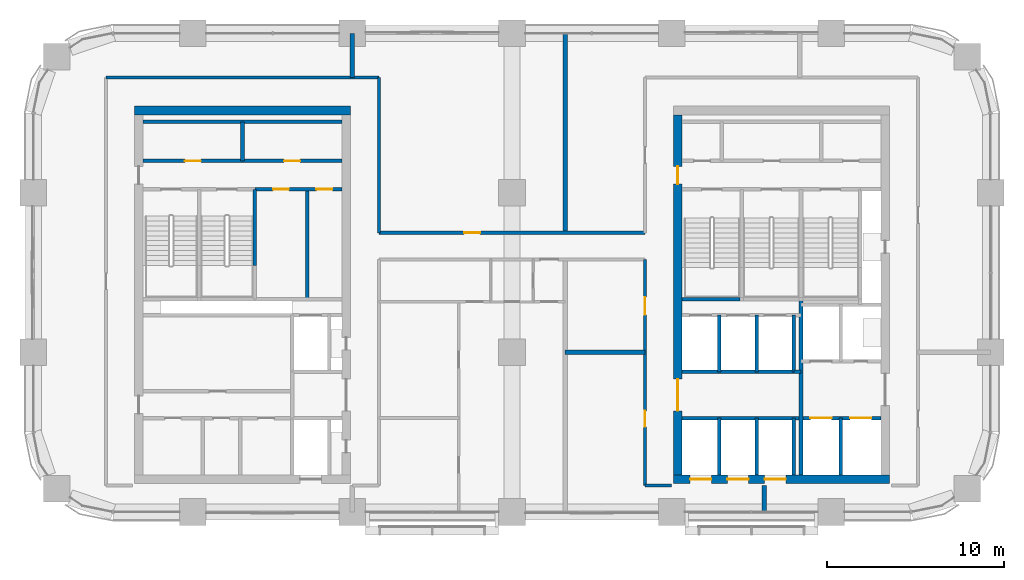
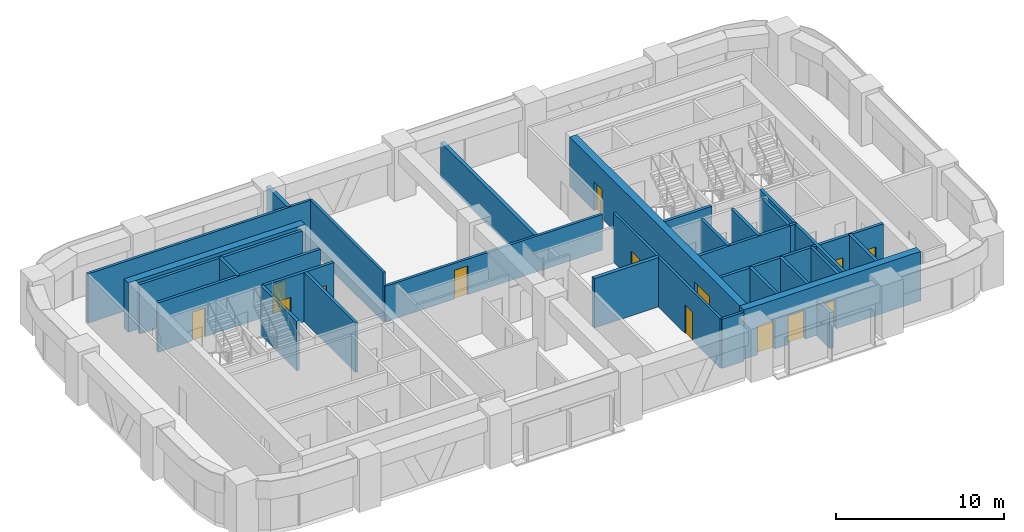
# One storey, part 9 of 13: 30 walls, 14 doors, 14 openings.
"""IFC4 building model written with IfcOpenShell, lengths in metres."""

import ifcopenshell
import ifcopenshell.guid

model = None  # the IFC model being written
_history = None  # IfcOwnerHistory: only IFC2X3 demands one
_inside = {}  # id of a spatial element -> (the spatial element, [elements in it])
_under = {}  # id of a project, library or spatial element -> (it, [spatial elements below it])
_declared = {}  # id of a project -> (the project, [libraries it declares])
_typed = {}  # id of a type object -> (the type object, [elements of that type])
_made_of = {}  # id of a material, layer set ... -> (it, [elements and type objects made of it])


def new_model(schema):
    """Start an empty IFC model of exactly this schema.

    Asked for "IFC4X3", IfcOpenShell would pick the latest addendum, in which some entities
    have other attributes; the version numbers below select the first issue.
    IFC2X3 requires an IfcOwnerHistory on every rooted entity: one is made here for all.
    """
    global model, _history
    if schema == "IFC4X3":
        model = ifcopenshell.file(schema_version=(4, 3, 0, 0))
    else:
        model = ifcopenshell.file(schema=schema)
    _inside.clear()
    _under.clear()
    _declared.clear()
    _typed.clear()
    _made_of.clear()
    _history = None
    if model.schema == "IFC2X3":
        org = make("IfcOrganization", Name="unknown")
        user = make(
            "IfcPersonAndOrganization",
            ThePerson=make("IfcPerson", FamilyName="unknown"),
            TheOrganization=org,
        )
        app = make(
            "IfcApplication",
            ApplicationDeveloper=org,
            Version="unknown",
            ApplicationFullName="unknown",
            ApplicationIdentifier="unknown",
        )
        _history = make(
            "IfcOwnerHistory",
            OwningUser=user,
            OwningApplication=app,
            ChangeAction="ADDED",
            CreationDate=0,
        )
    return model


def make(cls, **values):
    """One entity of the class cls with the attributes given. An attribute that is None is left unset."""
    return model.create_entity(
        cls, **{name: value for name, value in values.items() if value is not None}
    )


def rooted(cls, **values):
    """An entity with a GlobalId (a new one), such as an element, a storey or a relation."""
    return make(cls, GlobalId=ifcopenshell.guid.new(), OwnerHistory=_history, **values)


def si_unit(unit_type, name, prefix=None):
    """IfcSIUnit, for example si_unit("LENGTHUNIT", "METRE", prefix="MILLI")."""
    return make("IfcSIUnit", UnitType=unit_type, Prefix=prefix, Name=name)


def assignment(units):
    """IfcUnitAssignment: the units of a project."""
    return None if units is None else make("IfcUnitAssignment", Units=units)


def point(xyz):
    """IfcCartesianPoint."""
    return None if xyz is None else make("IfcCartesianPoint", Coordinates=xyz)


def direction(xyz):
    """IfcDirection."""
    return None if xyz is None else make("IfcDirection", DirectionRatios=xyz)


def frame(location, z_axis=None, x_axis=None):
    """IfcAxis2Placement3D, a coordinate frame: its origin and axes. An axis left out is left unset."""
    return make(
        "IfcAxis2Placement3D",
        Location=point(location),
        Axis=direction(z_axis),
        RefDirection=direction(x_axis),
    )


def frame_2d(location, x_axis=None):
    """IfcAxis2Placement2D, a coordinate frame in the plane: its origin and x axis."""
    return make(
        "IfcAxis2Placement2D", Location=point(location), RefDirection=direction(x_axis)
    )


def origin():
    """The frame at (0, 0, 0) with its axes left unset."""
    return frame((0.0, 0.0, 0.0))


def place(relative_to, where):
    """IfcLocalPlacement: puts the frame where relative to a parent placement (None: the world)."""
    return make(
        "IfcLocalPlacement", PlacementRelTo=relative_to, RelativePlacement=where
    )


def context(
    kind, dimensions, precision=None, world=None, true_north=None, identifier=None
):
    """IfcGeometricRepresentationContext, for example the 3D "Model" context."""
    return make(
        "IfcGeometricRepresentationContext",
        ContextIdentifier=identifier,
        ContextType=kind,
        CoordinateSpaceDimension=dimensions,
        Precision=precision,
        WorldCoordinateSystem=world,
        TrueNorth=true_north,
    )


def subcontext(parent, identifier, kind, view, scale=None):
    """IfcGeometricRepresentationSubContext, for example "Body" below "Model"."""
    return make(
        "IfcGeometricRepresentationSubContext",
        ContextIdentifier=identifier,
        ContextType=kind,
        ParentContext=parent,
        TargetScale=scale,
        TargetView=view,
    )


def project(units=None, contexts=None):
    """IfcProject with its units and contexts."""
    return rooted(
        "IfcProject",
        Name="project",
        RepresentationContexts=contexts,
        UnitsInContext=assignment(units),
    )


def spatial(cls, under=None, at=None, **own):
    """A site, building, storey or space (cls), placed at a placement, below another one or the project."""
    s = rooted(cls, ObjectPlacement=at, **own)
    if under is not None:
        _under.setdefault(under.id(), (under, []))[1].append(s)
    return s


def profile(cls, at=None, kind="AREA", **sizes):
    """A parametric profile (cls). Its sizes go by their IFC names, for example OverallWidth=200.0."""
    return make(cls, ProfileType=kind, Position=at, **sizes)


def rectangle(**sizes):
    """IfcRectangleProfileDef."""
    return profile("IfcRectangleProfileDef", **sizes)


def extrude(swept, where, along, depth):
    """IfcExtrudedAreaSolid: the profile swept, set in the frame where, extruded along a direction by depth."""
    return make(
        "IfcExtrudedAreaSolid",
        SweptArea=swept,
        Position=where,
        ExtrudedDirection=direction(along),
        Depth=depth,
    )


def shape(context_of_items, identifier, shape_type, items):
    """IfcShapeRepresentation: the items that make up one representation, for example the "Body"."""
    return make(
        "IfcShapeRepresentation",
        ContextOfItems=context_of_items,
        RepresentationIdentifier=identifier,
        RepresentationType=shape_type,
        Items=items,
    )


def material(Name=None, Category=None):
    """IfcMaterial."""
    return make("IfcMaterial", Name=Name, Category=Category)


def layer(
    of_material, thickness, ventilated=None, Name=None, Category=None, Priority=None
):
    """IfcMaterialLayer: one layer of a wall or slab, of a material (None: an air gap)."""
    return make(
        "IfcMaterialLayer",
        Material=of_material,
        LayerThickness=thickness,
        IsVentilated=ventilated,
        Name=Name,
        Category=Category,
        Priority=Priority,
    )


def layer_set(layers, Name=None):
    """IfcMaterialLayerSet."""
    return make("IfcMaterialLayerSet", MaterialLayers=layers, LayerSetName=Name)


def made_of(thing, what):
    """Note that an element or type object is made of a material, layer set ...; save() writes the relation."""
    if what is not None:
        _made_of.setdefault(what.id(), (what, []))[1].append(thing)
    return thing


def type_object(cls, material=None, **own):
    """A type object (cls), such as IfcWallType, which elements share."""
    return made_of(rooted(cls, **own), material)


def element(
    cls,
    number,
    at=None,
    inside=None,
    cuts=None,
    type_object=None,
    material=None,
    context=None,
    identifier="Body",
    shape_type=None,
    held_by="IfcProductDefinitionShape",
    body=None,
    shapes=None,
    **own,
):
    """One element of the class cls, such as IfcWall. Its Tag is "e" and its number.

    at: its placement. inside: the storey or other place that contains it. cuts: it is an
    opening in that element (IfcRelVoidsElement). A single representation is given by context,
    identifier, shape_type and body (its items); several are given by shapes. held_by: the class
    of the entity that holds the representations. save() writes the other relations.
    """
    e = rooted(cls, Tag="e%d" % number, ObjectPlacement=at, **own)
    if body is not None:
        shapes = [shape(context, identifier, shape_type, body)]
    if shapes is not None:
        e.Representation = make(held_by, Representations=shapes)
    if inside is not None:
        _inside.setdefault(inside.id(), (inside, []))[1].append(e)
    if cuts is not None:
        rooted(
            "IfcRelVoidsElement", RelatingBuildingElement=cuts, RelatedOpeningElement=e
        )
    if type_object is not None:
        _typed.setdefault(type_object.id(), (type_object, []))[1].append(e)
    return made_of(e, material)


def fill(opening, filler):
    """IfcRelFillsElement: the door or window that sits in an opening."""
    return rooted(
        "IfcRelFillsElement",
        RelatingOpeningElement=opening,
        RelatedBuildingElement=filler,
    )


def aggregate(whole, parts):
    """IfcRelAggregates: a whole, such as a stair, and the parts it consists of."""
    return rooted("IfcRelAggregates", RelatingObject=whole, RelatedObjects=parts)


def save(model, path):
    """Write the relations noted so far, then the file.

    IfcRelAggregates (storeys below a building ...), IfcRelContainedInSpatialStructure (elements
    in a storey), IfcRelDefinesByType, IfcRelAssociatesMaterial and IfcRelDeclares: one each for
    every whole, place, type object, material and project.
    """
    for whole, parts in _under.values():
        aggregate(whole, parts)
    for where, things in _inside.values():
        rooted(
            "IfcRelContainedInSpatialStructure",
            RelatedElements=things,
            RelatingStructure=where,
        )
    for kind, things in _typed.values():
        rooted("IfcRelDefinesByType", RelatedObjects=things, RelatingType=kind)
    for what, things in _made_of.values():
        rooted("IfcRelAssociatesMaterial", RelatedObjects=things, RelatingMaterial=what)
    for by, libraries in _declared.values():
        rooted("IfcRelDeclares", RelatingContext=by, RelatedDefinitions=libraries)
    model.write(path)


model = new_model("IFC4")

# Units and contexts
model_context = context("Model", 3, precision=1e-05, world=origin(), true_north=direction((0.0, 1.0)))
body_context = subcontext(model_context, "Body", "Model", "MODEL_VIEW")
ifc_project = project(units=[si_unit("LENGTHUNIT", "METRE"), si_unit("AREAUNIT", "SQUARE_METRE"), si_unit("VOLUMEUNIT", "CUBIC_METRE"), si_unit("PLANEANGLEUNIT", "RADIAN"), si_unit("MASSUNIT", "GRAM", prefix="KILO")], contexts=[model_context])

# Site, building, storey
site_placement = place(None, origin())
site = spatial("IfcSite", under=ifc_project, at=site_placement, CompositionType="ELEMENT")
building_placement = place(site_placement, origin())
building = spatial("IfcBuilding", under=site, at=building_placement, Name="Tessera Arch", CompositionType="ELEMENT")
storey_placement = place(building_placement, frame((0.0, 0.0, 158.300048828125)))
storey = spatial("IfcBuildingStorey", under=building, at=storey_placement, Name="L37", CompositionType="ELEMENT", Elevation=158.300048828125)

# Walls
ifc_material_1 = material(Name="Gypsum board on steel stud", Category="steel")
ifc_layer_1 = layer(ifc_material_1, 0.125)
ifc_layer_set_1 = layer_set([ifc_layer_1], Name="Core partition 125 EI 60")
wall_type_1 = type_object("IfcWallType", Name="Core partition 125 EI 60", PredefinedType="PARTITIONING", material=ifc_layer_set_1)
wall_1_placement = place(storey_placement, frame((42.89990234375, 34.89990234375, 0.0), z_axis=(0.0, 0.0, 1.0), x_axis=(1.0, 0.0, 0.0)))
element("IfcWall", 1, at=wall_1_placement, inside=storey, type_object=wall_type_1, Name="L37 C1 partition wall 20", PredefinedType="PARTITIONING", context=body_context, shape_type="SweptSolid", body=[
    extrude(rectangle(XDim=0.400146484375, YDim=0.199951171875, at=frame_2d((0.2001953125, 0.0))), origin(), (0.0, 0.0, 1.0), 3.599853515625),
])
wall_2_placement = place(storey_placement, frame((11.800048828125, 46.800048828125, 0.0), z_axis=(0.0, 0.0, 1.0), x_axis=(0.0, 1.0, 0.0)))
element("IfcWall", 2, at=wall_2_placement, inside=storey, type_object=wall_type_1, Name="L37 C2 partition wall 5", PredefinedType="PARTITIONING", context=body_context, shape_type="SweptSolid", body=[
    extrude(rectangle(XDim=2.199951171875, YDim=0.199951171875, at=frame_2d((1.10009765625, 0.0))), origin(), (0.0, 0.0, 1.0), 3.599853515625),
])
wall_3_placement = place(storey_placement, frame((15.43994140625, 39.0, 0.0), z_axis=(0.0, 0.0, 1.0), x_axis=(0.0, 1.0, 0.0)))
element("IfcWall", 3, at=wall_3_placement, inside=storey, type_object=wall_type_1, Name="L37 C2 partition wall 11", PredefinedType="PARTITIONING", context=body_context, shape_type="SweptSolid", body=[
    extrude(rectangle(XDim=6.199951171875, YDim=0.199951171875, at=frame_2d((3.10009765625, 0.0))), origin(), (0.0, 0.0, 1.0), 3.599853515625),
])

# Wall, openings, doors
wall_4_placement = place(storey_placement, frame((12.5, 45.199951171875, 0.0), z_axis=(0.0, 0.0, 1.0), x_axis=(1.0, 0.0, 0.0)))
wall_4 = element("IfcWall", 4, at=wall_4_placement, inside=storey, type_object=wall_type_1, Name="L37 C2 partition wall 23", PredefinedType="PARTITIONING", context=body_context, shape_type="SweptSolid", body=[
    extrude(rectangle(XDim=4.89990234375, YDim=0.199951171875, at=frame_2d((2.449951171875, 0.0))), origin(), (0.0, 0.0, 1.0), 3.599853515625),
])
opening_1_placement = place(wall_4_placement, frame((1.02001953125, 0.0, 0.0)))
opening_1 = element("IfcOpeningElement", 5, at=opening_1_placement, cuts=wall_4, Name="Opening L37-C32", PredefinedType="OPENING", context=body_context, shape_type="SweptSolid", body=[
    extrude(rectangle(XDim=0.89990234375, YDim=2.10009765625, at=frame_2d((0.449951171875, 1.050048828125))), frame((0.0, 0.10986328125, 0.0), z_axis=(0.0, -1.0, 0.0), x_axis=(1.0, 0.0, 0.0)), (0.0, 0.0, 1.0), 0.219970703125),
])
opening_2_placement = place(wall_4_placement, frame((3.469970703125, 0.0, 0.0)))
opening_2 = element("IfcOpeningElement", 6, at=opening_2_placement, cuts=wall_4, Name="Opening L37-C33", PredefinedType="OPENING", context=body_context, shape_type="SweptSolid", body=[
    extrude(rectangle(XDim=0.89990234375, YDim=2.10009765625, at=frame_2d((0.449951171875, 1.050048828125))), frame((0.0, 0.10986328125, 0.0), z_axis=(0.0, -1.0, 0.0), x_axis=(1.0, 0.0, 0.0)), (0.0, 0.0, 1.0), 0.219970703125),
])
ifc_material_2 = material(Name="Steel door leaf", Category="steel")
door_type_1 = type_object("IfcDoorType", Name="Store door FD30S 900 x 2100", OperationType="SINGLE_SWING_LEFT", PredefinedType="DOOR", material=ifc_material_2)
door_1_placement = place(opening_1_placement, origin())
door_1 = element("IfcDoor", 7, at=door_1_placement, inside=storey, type_object=door_type_1, Name="L37 C2 door 12 C32 type D09", OperationType="SINGLE_SWING_LEFT", OverallHeight=2.10009765625, OverallWidth=0.89990234375, PredefinedType="DOOR", context=body_context, shape_type="SweptSolid", body=[
    extrude(rectangle(XDim=0.89990234375, YDim=2.10009765625, at=frame_2d((0.449951171875, 1.050048828125))), frame((0.0, 0.02490234375, 0.0), z_axis=(0.0, -1.0, 0.0), x_axis=(1.0, 0.0, 0.0)), (0.0, 0.0, 1.0), 0.050048828125),
])
fill(opening_1, door_1)
door_2_placement = place(opening_2_placement, origin())
door_2 = element("IfcDoor", 8, at=door_2_placement, inside=storey, type_object=door_type_1, Name="L37 C2 door 13 C33 type D09", OperationType="SINGLE_SWING_RIGHT", OverallHeight=2.10009765625, OverallWidth=0.89990234375, PredefinedType="DOOR", context=body_context, shape_type="SweptSolid", body=[
    extrude(rectangle(XDim=0.89990234375, YDim=2.10009765625, at=frame_2d((0.449951171875, 1.050048828125))), frame((0.0, 0.02490234375, 0.0), z_axis=(0.0, -1.0, 0.0), x_axis=(1.0, 0.0, 0.0)), (0.0, 0.0, 1.0), 0.050048828125),
])
fill(opening_2, door_2)

wall_5_placement = place(storey_placement, frame((6.199951171875, 46.800048828125, 0.0), z_axis=(0.0, 0.0, 1.0), x_axis=(1.0, 0.0, 0.0)))
wall_5 = element("IfcWall", 9, at=wall_5_placement, inside=storey, type_object=wall_type_1, Name="L37 C2 partition wall 25", PredefinedType="PARTITIONING", context=body_context, shape_type="SweptSolid", body=[
    extrude(rectangle(XDim=11.199951171875, YDim=0.199951171875, at=frame_2d((5.60009765625, 0.0))), origin(), (0.0, 0.0, 1.0), 3.599853515625),
])
opening_3_placement = place(wall_5_placement, frame((2.35009765625, 0.0, 0.0)))
opening_3 = element("IfcOpeningElement", 10, at=opening_3_placement, cuts=wall_5, Name="Opening L37-C30", PredefinedType="OPENING", context=body_context, shape_type="SweptSolid", body=[
    extrude(rectangle(XDim=0.89990234375, YDim=2.10009765625, at=frame_2d((0.449951171875, 1.050048828125))), frame((0.0, 0.10986328125, 0.0), z_axis=(0.0, -1.0, 0.0), x_axis=(1.0, 0.0, 0.0)), (0.0, 0.0, 1.0), 0.219970703125),
])
opening_4_placement = place(wall_5_placement, frame((7.949951171875, 0.0, 0.0)))
opening_4 = element("IfcOpeningElement", 11, at=opening_4_placement, cuts=wall_5, Name="Opening L37-C31", PredefinedType="OPENING", context=body_context, shape_type="SweptSolid", body=[
    extrude(rectangle(XDim=0.89990234375, YDim=2.10009765625, at=frame_2d((0.449951171875, 1.050048828125))), frame((0.0, 0.10986328125, 0.0), z_axis=(0.0, -1.0, 0.0), x_axis=(1.0, 0.0, 0.0)), (0.0, 0.0, 1.0), 0.219970703125),
])
door_3_placement = place(opening_3_placement, origin())
door_3 = element("IfcDoor", 12, at=door_3_placement, inside=storey, type_object=door_type_1, Name="L37 C2 door 10 C30 type D09", OperationType="SINGLE_SWING_LEFT", OverallHeight=2.10009765625, OverallWidth=0.89990234375, PredefinedType="DOOR", context=body_context, shape_type="SweptSolid", body=[
    extrude(rectangle(XDim=0.89990234375, YDim=2.10009765625, at=frame_2d((0.449951171875, 1.050048828125))), frame((0.0, 0.02490234375, 0.0), z_axis=(0.0, -1.0, 0.0), x_axis=(1.0, 0.0, 0.0)), (0.0, 0.0, 1.0), 0.050048828125),
])
fill(opening_3, door_3)
door_4_placement = place(opening_4_placement, origin())
door_4 = element("IfcDoor", 13, at=door_4_placement, inside=storey, type_object=door_type_1, Name="L37 C2 door 11 C31 type D09", OperationType="SINGLE_SWING_RIGHT", OverallHeight=2.10009765625, OverallWidth=0.89990234375, PredefinedType="DOOR", context=body_context, shape_type="SweptSolid", body=[
    extrude(rectangle(XDim=0.89990234375, YDim=2.10009765625, at=frame_2d((0.449951171875, 1.050048828125))), frame((0.0, 0.02490234375, 0.0), z_axis=(0.0, -1.0, 0.0), x_axis=(1.0, 0.0, 0.0)), (0.0, 0.0, 1.0), 0.050048828125),
])
fill(opening_4, door_4)

# Wall
wall_6_placement = place(storey_placement, frame((6.199951171875, 49.0, 0.0), z_axis=(0.0, 0.0, 1.0), x_axis=(1.0, 0.0, 0.0)))
element("IfcWall", 14, at=wall_6_placement, inside=storey, type_object=wall_type_1, Name="L37 C2 partition wall 26", PredefinedType="PARTITIONING", context=body_context, shape_type="SweptSolid", body=[
    extrude(rectangle(XDim=11.199951171875, YDim=0.199951171875, at=frame_2d((5.60009765625, 0.0))), origin(), (0.0, 0.0, 1.0), 3.599853515625),
])

# Wall, openings, doors
ifc_material_3 = material(Name="Concrete C60/75", Category="concrete")
ifc_layer_2 = layer(ifc_material_3, 0.5)
ifc_layer_set_2 = layer_set([ifc_layer_2], Name="Core shell wall 500 C60-75")
wall_type_2 = type_object("IfcWallType", Name="Core shell wall 500 C60-75", PredefinedType="SHEAR", material=ifc_layer_set_2)
wall_7_placement = place(storey_placement, frame((36.10009765625, 28.85009765625, 0.0), z_axis=(0.0, 0.0, 1.0), x_axis=(1.0, 0.0, 0.0)))
wall_7 = element("IfcWall", 15, at=wall_7_placement, inside=storey, type_object=wall_type_2, Name="L37 C1 core wall S", PredefinedType="SHEAR", context=body_context, shape_type="SweptSolid", body=[
    extrude(rectangle(XDim=12.199951171875, YDim=0.5, at=frame_2d((6.10009765625, 0.0))), origin(), (0.0, 0.0, 1.0), 3.599853515625),
])
opening_5_placement = place(wall_7_placement, frame((0.949951171875, 0.0, 0.0)))
opening_5 = element("IfcOpeningElement", 16, at=opening_5_placement, cuts=wall_7, Name="Opening L37-C01", PredefinedType="OPENING", context=body_context, shape_type="SweptSolid", body=[
    extrude(rectangle(XDim=1.199951171875, YDim=2.10009765625, at=frame_2d((0.60009765625, 1.050048828125))), frame((0.0, 0.260009765625, 0.0), z_axis=(0.0, -1.0, 0.0), x_axis=(1.0, 0.0, 0.0)), (0.0, 0.0, 1.0), 0.52001953125),
])
opening_6_placement = place(wall_7_placement, frame((3.050048828125, 0.0, 0.0)))
opening_6 = element("IfcOpeningElement", 17, at=opening_6_placement, cuts=wall_7, Name="Opening L37-C03", PredefinedType="OPENING", context=body_context, shape_type="SweptSolid", body=[
    extrude(rectangle(XDim=1.199951171875, YDim=2.10009765625, at=frame_2d((0.60009765625, 1.050048828125))), frame((0.0, 0.260009765625, 0.0), z_axis=(0.0, -1.0, 0.0), x_axis=(1.0, 0.0, 0.0)), (0.0, 0.0, 1.0), 0.52001953125),
])
opening_7_placement = place(wall_7_placement, frame((5.14990234375, 0.0, 0.0)))
opening_7 = element("IfcOpeningElement", 18, at=opening_7_placement, cuts=wall_7, Name="Opening L37-C05", PredefinedType="OPENING", context=body_context, shape_type="SweptSolid", body=[
    extrude(rectangle(XDim=1.199951171875, YDim=2.10009765625, at=frame_2d((0.60009765625, 1.050048828125))), frame((0.0, 0.260009765625, 0.0), z_axis=(0.0, -1.0, 0.0), x_axis=(1.0, 0.0, 0.0)), (0.0, 0.0, 1.0), 0.52001953125),
])
ifc_material_4 = material(Name="Stainless steel AISI 304", Category="steel")
door_type_2 = type_object("IfcDoorType", Name="Sliding landing door 1200 x 2100", OperationType="SLIDING_TO_LEFT", PredefinedType="DOOR", material=ifc_material_4)
door_5_placement = place(opening_5_placement, origin())
door_5 = element("IfcDoor", 19, at=door_5_placement, inside=storey, type_object=door_type_2, Name="L37 HR1 lift landing door C01 type LD", OperationType="SLIDING_TO_LEFT", OverallHeight=2.10009765625, OverallWidth=1.199951171875, PredefinedType="DOOR", context=body_context, shape_type="SweptSolid", body=[
    extrude(rectangle(XDim=1.199951171875, YDim=2.10009765625, at=frame_2d((0.60009765625, 1.050048828125))), frame((0.0, 0.02490234375, 0.0), z_axis=(0.0, -1.0, 0.0), x_axis=(1.0, 0.0, 0.0)), (0.0, 0.0, 1.0), 0.050048828125),
])
fill(opening_5, door_5)
door_6_placement = place(opening_6_placement, origin())
door_6 = element("IfcDoor", 20, at=door_6_placement, inside=storey, type_object=door_type_2, Name="L37 HR2 lift landing door C03 type LD", OperationType="SLIDING_TO_LEFT", OverallHeight=2.10009765625, OverallWidth=1.199951171875, PredefinedType="DOOR", context=body_context, shape_type="SweptSolid", body=[
    extrude(rectangle(XDim=1.199951171875, YDim=2.10009765625, at=frame_2d((0.60009765625, 1.050048828125))), frame((0.0, 0.02490234375, 0.0), z_axis=(0.0, -1.0, 0.0), x_axis=(1.0, 0.0, 0.0)), (0.0, 0.0, 1.0), 0.050048828125),
])
fill(opening_6, door_6)
door_7_placement = place(opening_7_placement, origin())
door_7 = element("IfcDoor", 21, at=door_7_placement, inside=storey, type_object=door_type_2, Name="L37 HR3 lift landing door C05 type LD", OperationType="SLIDING_TO_LEFT", OverallHeight=2.10009765625, OverallWidth=1.199951171875, PredefinedType="DOOR", context=body_context, shape_type="SweptSolid", body=[
    extrude(rectangle(XDim=1.199951171875, YDim=2.10009765625, at=frame_2d((0.60009765625, 1.050048828125))), frame((0.0, 0.02490234375, 0.0), z_axis=(0.0, -1.0, 0.0), x_axis=(1.0, 0.0, 0.0)), (0.0, 0.0, 1.0), 0.050048828125),
])
fill(opening_7, door_7)

wall_8_placement = place(storey_placement, frame((36.35009765625, 29.10009765625, 0.0), z_axis=(0.0, 0.0, 1.0), x_axis=(0.0, 1.0, 0.0)))
wall_8 = element("IfcWall", 22, at=wall_8_placement, inside=storey, type_object=wall_type_2, Name="L37 C1 core wall W", PredefinedType="SHEAR", context=body_context, shape_type="SweptSolid", body=[
    extrude(rectangle(XDim=20.2998046875, YDim=0.5, at=frame_2d((10.14990234375, 0.0))), origin(), (0.0, 0.0, 1.0), 3.599853515625),
])
opening_8_placement = place(wall_8_placement, frame((3.60009765625, 0.0, 0.0)))
opening_8 = element("IfcOpeningElement", 23, at=opening_8_placement, cuts=wall_8, Name="Opening L37-C10", PredefinedType="OPENING", context=body_context, shape_type="SweptSolid", body=[
    extrude(rectangle(XDim=1.800048828125, YDim=2.10009765625, at=frame_2d((0.89990234375, 1.050048828125))), frame((0.0, 0.260009765625, 0.0), z_axis=(0.0, -1.0, 0.0), x_axis=(1.0, 0.0, 0.0)), (0.0, 0.0, 1.0), 0.52001953125),
])
opening_9_placement = place(wall_8_placement, frame((16.39990234375, 0.0, 0.0)))
opening_9 = element("IfcOpeningElement", 24, at=opening_9_placement, cuts=wall_8, Name="Opening L37-C17", PredefinedType="OPENING", context=body_context, shape_type="SweptSolid", body=[
    extrude(rectangle(XDim=1.0, YDim=2.10009765625, at=frame_2d((0.5, 1.050048828125))), frame((0.0, 0.260009765625, 0.0), z_axis=(0.0, -1.0, 0.0), x_axis=(1.0, 0.0, 0.0)), (0.0, 0.0, 1.0), 0.52001953125),
])
ifc_material_5 = material(Name="Steel door leaf", Category="steel")
door_type_3 = type_object("IfcDoorType", Name="Corridor door FD60 1000 x 2100", OperationType="SINGLE_SWING_LEFT", PredefinedType="DOOR", material=ifc_material_5)
door_8_placement = place(opening_9_placement, origin())
door_8 = element("IfcDoor", 25, at=door_8_placement, inside=storey, type_object=door_type_3, Name="L37 C1 door 17 C17 type D12", OperationType="SINGLE_SWING_RIGHT", OverallHeight=2.10009765625, OverallWidth=1.0, PredefinedType="DOOR", context=body_context, shape_type="SweptSolid", body=[
    extrude(rectangle(XDim=1.0, YDim=2.10009765625, at=frame_2d((0.5, 1.050048828125))), frame((0.0, 0.02490234375, 0.0), z_axis=(0.0, -1.0, 0.0), x_axis=(1.0, 0.0, 0.0)), (0.0, 0.0, 1.0), 0.050048828125),
])
fill(opening_9, door_8)
ifc_material_6 = material(Name="Glazed steel door leaf", Category="steel")
door_type_4 = type_object("IfcDoorType", Name="Lobby double door FD30S 1800 x 2100", OperationType="DOUBLE_DOOR_SINGLE_SWING", PredefinedType="DOOR", material=ifc_material_6)
door_9_placement = place(opening_8_placement, origin())
door_9 = element("IfcDoor", 26, at=door_9_placement, inside=storey, type_object=door_type_4, Name="L37 C1 door 10 C10 type D06", OperationType="DOUBLE_DOOR_SINGLE_SWING", OverallHeight=2.10009765625, OverallWidth=1.800048828125, PredefinedType="DOOR", context=body_context, shape_type="SweptSolid", body=[
    extrude(rectangle(XDim=1.800048828125, YDim=2.10009765625, at=frame_2d((0.89990234375, 1.050048828125))), frame((0.0, 0.02490234375, 0.0), z_axis=(0.0, -1.0, 0.0), x_axis=(1.0, 0.0, 0.0)), (0.0, 0.0, 1.0), 0.050048828125),
])
fill(opening_8, door_9)

# Walls
wall_9_placement = place(storey_placement, frame((5.699951171875, 49.64990234375, 0.0), z_axis=(0.0, 0.0, 1.0), x_axis=(1.0, 0.0, 0.0)))
element("IfcWall", 27, at=wall_9_placement, inside=storey, type_object=wall_type_2, Name="L37 C2 core wall N", PredefinedType="SHEAR", context=body_context, shape_type="SweptSolid", body=[
    extrude(rectangle(XDim=12.199951171875, YDim=0.5, at=frame_2d((6.10009765625, 0.0))), origin(), (0.0, 0.0, 1.0), 3.599853515625),
])
ifc_material_7 = material(Name="Gypsum board on deep steel stud with mineral wool", Category="steel")
ifc_layer_3 = layer(ifc_material_7, 0.175048828125)
ifc_layer_set_3 = layer_set([ifc_layer_3], Name="Corridor wall 175 EI 60")
wall_type_3 = type_object("IfcWallType", Name="Corridor wall 175 EI 60", PredefinedType="PARTITIONING", material=ifc_layer_set_3)
wall_10_placement = place(storey_placement, frame((34.5, 28.5, 0.0), z_axis=(0.0, 0.0, 1.0), x_axis=(1.0, 0.0, 0.0)))
element("IfcWall", 28, at=wall_10_placement, inside=storey, type_object=wall_type_3, Name="L37 partition 3", PredefinedType="PARTITIONING", context=body_context, shape_type="SweptSolid", body=[
    extrude(rectangle(XDim=1.5, YDim=0.175048828125, at=frame_2d((0.75, 0.0))), origin(), (0.0, 0.0, 1.0), 3.599853515625),
])

# Wall, opening, door
wall_11_placement = place(storey_placement, frame((19.5, 42.75, 0.0), z_axis=(0.0, 0.0, 1.0), x_axis=(1.0, 0.0, 0.0)))
wall_11 = element("IfcWall", 29, at=wall_11_placement, inside=storey, type_object=wall_type_3, Name="L37 partition 6", PredefinedType="PARTITIONING", context=body_context, shape_type="SweptSolid", body=[
    extrude(rectangle(XDim=15.0, YDim=0.175048828125, at=frame_2d((7.5, 0.0))), origin(), (0.0, 0.0, 1.0), 2.599853515625),
])
opening_10_placement = place(wall_11_placement, frame((4.800048828125, 0.0, 0.0)))
opening_10 = element("IfcOpeningElement", 30, at=opening_10_placement, cuts=wall_11, Name="Opening L37-D013", PredefinedType="OPENING", context=body_context, shape_type="SweptSolid", body=[
    extrude(rectangle(XDim=0.89990234375, YDim=2.10009765625, at=frame_2d((0.449951171875, 1.050048828125))), frame((0.0, 0.097412109375, 0.0), z_axis=(0.0, -1.0, 0.0), x_axis=(1.0, 0.0, 0.0)), (0.0, 0.0, 1.0), 0.195068359375),
])
ifc_material_8 = material(Name="Timber door leaf", Category="wood")
door_type_5 = type_object("IfcDoorType", Name="Room door 900 x 2100", OperationType="SINGLE_SWING_LEFT", PredefinedType="DOOR", material=ifc_material_8)
door_10_placement = place(opening_10_placement, origin())
door_10 = element("IfcDoor", 31, at=door_10_placement, inside=storey, type_object=door_type_5, Name="L37 door D013 type D01", OperationType="SINGLE_SWING_LEFT", OverallHeight=2.10009765625, OverallWidth=0.89990234375, PredefinedType="DOOR", context=body_context, shape_type="SweptSolid", body=[
    extrude(rectangle(XDim=0.89990234375, YDim=2.10009765625, at=frame_2d((0.449951171875, 1.050048828125))), frame((0.0, 0.02490234375, 0.0), z_axis=(0.0, -1.0, 0.0), x_axis=(1.0, 0.0, 0.0)), (0.0, 0.0, 1.0), 0.050048828125),
])
fill(opening_10, door_10)

# Walls
wall_12_placement = place(storey_placement, frame((4.10009765625, 51.5, 0.0), z_axis=(0.0, 0.0, 1.0), x_axis=(1.0, 0.0, 0.0)))
element("IfcWall", 32, at=wall_12_placement, inside=storey, type_object=wall_type_3, Name="L37 partition 7", PredefinedType="PARTITIONING", context=body_context, shape_type="SweptSolid", body=[
    extrude(rectangle(XDim=15.39990234375, YDim=0.175048828125, at=frame_2d((7.699951171875, 0.0))), origin(), (0.0, 0.0, 1.0), 3.599853515625),
])
wall_13_placement = place(storey_placement, frame((19.5, 42.75, 0.0), z_axis=(0.0, 0.0, 1.0), x_axis=(0.0, 1.0, 0.0)))
element("IfcWall", 33, at=wall_13_placement, inside=storey, type_object=wall_type_3, Name="L37 partition 11", PredefinedType="PARTITIONING", context=body_context, shape_type="SweptSolid", body=[
    extrude(rectangle(XDim=8.75, YDim=0.175048828125, at=frame_2d((4.375, 0.0))), origin(), (0.0, 0.0, 1.0), 3.599853515625),
])

# Wall, openings, doors
wall_14_placement = place(storey_placement, frame((34.5, 28.5, 0.0), z_axis=(0.0, 0.0, 1.0), x_axis=(0.0, 1.0, 0.0)))
wall_14 = element("IfcWall", 34, at=wall_14_placement, inside=storey, type_object=wall_type_3, Name="L37 partition 12", PredefinedType="PARTITIONING", context=body_context, shape_type="SweptSolid", body=[
    extrude(rectangle(XDim=12.75, YDim=0.175048828125, at=frame_2d((6.375, 0.0))), origin(), (0.0, 0.0, 1.0), 3.599853515625),
])
opening_11_placement = place(wall_14_placement, frame((3.300048828125, 0.0, 0.0)))
opening_11 = element("IfcOpeningElement", 35, at=opening_11_placement, cuts=wall_14, Name="Opening L37-D001", PredefinedType="OPENING", context=body_context, shape_type="SweptSolid", body=[
    extrude(rectangle(XDim=0.89990234375, YDim=2.10009765625, at=frame_2d((0.449951171875, 1.050048828125))), frame((0.0, 0.097412109375, 0.0), z_axis=(0.0, -1.0, 0.0), x_axis=(1.0, 0.0, 0.0)), (0.0, 0.0, 1.0), 0.195068359375),
])
opening_12_placement = place(wall_14_placement, frame((9.625, 0.0, 0.0)))
opening_12 = element("IfcOpeningElement", 36, at=opening_12_placement, cuts=wall_14, Name="Opening L37-D010", PredefinedType="OPENING", context=body_context, shape_type="SweptSolid", body=[
    extrude(rectangle(XDim=1.0, YDim=2.10009765625, at=frame_2d((0.5, 1.050048828125))), frame((0.0, 0.097412109375, 0.0), z_axis=(0.0, -1.0, 0.0), x_axis=(1.0, 0.0, 0.0)), (0.0, 0.0, 1.0), 0.195068359375),
])
ifc_material_9 = material(Name="Fire-rated door leaf")
door_type_6 = type_object("IfcDoorType", Name="Entrance door FD30S 1000 x 2100", OperationType="SINGLE_SWING_LEFT", PredefinedType="DOOR", material=ifc_material_9)
door_11_placement = place(opening_12_placement, origin())
door_11 = element("IfcDoor", 37, at=door_11_placement, inside=storey, type_object=door_type_6, Name="L37 door D010 type D03", OperationType="SINGLE_SWING_RIGHT", OverallHeight=2.10009765625, OverallWidth=1.0, PredefinedType="DOOR", context=body_context, shape_type="SweptSolid", body=[
    extrude(rectangle(XDim=1.0, YDim=2.10009765625, at=frame_2d((0.5, 1.050048828125))), frame((0.0, 0.02490234375, 0.0), z_axis=(0.0, -1.0, 0.0), x_axis=(1.0, 0.0, 0.0)), (0.0, 0.0, 1.0), 0.050048828125),
])
fill(opening_12, door_11)
door_12_placement = place(opening_11_placement, origin())
door_12 = element("IfcDoor", 38, at=door_12_placement, inside=storey, type_object=door_type_5, Name="L37 door D001 type D01", OperationType="SINGLE_SWING_LEFT", OverallHeight=2.10009765625, OverallWidth=0.89990234375, PredefinedType="DOOR", context=body_context, shape_type="SweptSolid", body=[
    extrude(rectangle(XDim=0.89990234375, YDim=2.10009765625, at=frame_2d((0.449951171875, 1.050048828125))), frame((0.0, 0.02490234375, 0.0), z_axis=(0.0, -1.0, 0.0), x_axis=(1.0, 0.0, 0.0)), (0.0, 0.0, 1.0), 0.050048828125),
])
fill(opening_11, door_12)

# Walls
ifc_material_10 = material(Name="Double gypsum board on twin steel stud with acoustic mineral wool", Category="steel")
ifc_layer_4 = layer(ifc_material_10, 0.25)
ifc_layer_set_4 = layer_set([ifc_layer_4], Name="Party wall 250 EI 60")
wall_type_4 = type_object("IfcWallType", Name="Party wall 250 EI 60", PredefinedType="PARTITIONING", material=ifc_layer_set_4)
wall_15_placement = place(storey_placement, frame((30.0, 36.0, 0.0), z_axis=(0.0, 0.0, 1.0), x_axis=(1.0, 0.0, 0.0)))
element("IfcWall", 39, at=wall_15_placement, inside=storey, type_object=wall_type_4, Name="L37 partition 19", PredefinedType="PARTITIONING", context=body_context, shape_type="SweptSolid", body=[
    extrude(rectangle(XDim=4.5, YDim=0.25, at=frame_2d((2.25, 0.0))), origin(), (0.0, 0.0, 1.0), 3.599853515625),
])
wall_16_placement = place(storey_placement, frame((18.0, 51.5, 0.0), z_axis=(0.0, 0.0, 1.0), x_axis=(0.0, 1.0, 0.0)))
element("IfcWall", 40, at=wall_16_placement, inside=storey, type_object=wall_type_4, Name="L37 partition 22", PredefinedType="PARTITIONING", context=body_context, shape_type="SweptSolid", body=[
    extrude(rectangle(XDim=2.5, YDim=0.25, at=frame_2d((1.25, 0.0))), origin(), (0.0, 0.0, 1.0), 3.599853515625),
])
wall_17_placement = place(storey_placement, frame((30.0, 42.75, 0.0), z_axis=(0.0, 0.0, 1.0), x_axis=(0.0, 1.0, 0.0)))
element("IfcWall", 41, at=wall_17_placement, inside=storey, type_object=wall_type_4, Name="L37 partition 24", PredefinedType="PARTITIONING", context=body_context, shape_type="SweptSolid", body=[
    extrude(rectangle(XDim=11.25, YDim=0.25, at=frame_2d((5.625, 0.0))), origin(), (0.0, 0.0, 1.0), 2.599853515625),
])
wall_18_placement = place(storey_placement, frame((41.216064453125, 27.0, 0.0), z_axis=(0.0, 0.0, 1.0), x_axis=(0.0, 1.0, 0.0)))
element("IfcWall", 42, at=wall_18_placement, inside=storey, type_object=wall_type_4, Name="L37 partition 25", PredefinedType="PARTITIONING", context=body_context, shape_type="SweptSolid", body=[
    extrude(rectangle(XDim=1.5, YDim=0.25, at=frame_2d((0.75, 0.0))), origin(), (0.0, 0.0, 1.0), 2.599853515625),
])
ifc_material_11 = material(Name="Concrete C40/50", Category="concrete")
ifc_layer_5 = layer(ifc_material_11, 0.199951171875)
ifc_layer_set_5 = layer_set([ifc_layer_5], Name="Shaft wall 200 EI 120")
wall_type_5 = type_object("IfcWallType", Name="Shaft wall 200 EI 120", PredefinedType="SOLIDWALL", material=ifc_layer_set_5)
wall_19_placement = place(storey_placement, frame((38.699951171875, 29.10009765625, 0.0), z_axis=(0.0, 0.0, 1.0), x_axis=(0.0, 1.0, 0.0)))
element("IfcWall", 43, at=wall_19_placement, inside=storey, type_object=wall_type_5, Name="L37 C1 shaft wall 1", PredefinedType="SOLIDWALL", context=body_context, shape_type="SweptSolid", body=[
    extrude(rectangle(XDim=3.199951171875, YDim=0.199951171875, at=frame_2d((1.60009765625, 0.0))), origin(), (0.0, 0.0, 1.0), 3.599853515625),
])
wall_20_placement = place(storey_placement, frame((38.699951171875, 34.89990234375, 0.0), z_axis=(0.0, 0.0, 1.0), x_axis=(0.0, 1.0, 0.0)))
element("IfcWall", 44, at=wall_20_placement, inside=storey, type_object=wall_type_5, Name="L37 C1 shaft wall 2", PredefinedType="SOLIDWALL", context=body_context, shape_type="SweptSolid", body=[
    extrude(rectangle(XDim=3.2001953125, YDim=0.199951171875, at=frame_2d((1.60009765625, 0.0))), origin(), (0.0, 0.0, 1.0), 3.599853515625),
])
wall_21_placement = place(storey_placement, frame((40.800048828125, 29.10009765625, 0.0), z_axis=(0.0, 0.0, 1.0), x_axis=(0.0, 1.0, 0.0)))
element("IfcWall", 45, at=wall_21_placement, inside=storey, type_object=wall_type_5, Name="L37 C1 shaft wall 6", PredefinedType="SOLIDWALL", context=body_context, shape_type="SweptSolid", body=[
    extrude(rectangle(XDim=3.199951171875, YDim=0.199951171875, at=frame_2d((1.60009765625, 0.0))), origin(), (0.0, 0.0, 1.0), 3.599853515625),
])
wall_22_placement = place(storey_placement, frame((40.800048828125, 34.89990234375, 0.0), z_axis=(0.0, 0.0, 1.0), x_axis=(0.0, 1.0, 0.0)))
element("IfcWall", 46, at=wall_22_placement, inside=storey, type_object=wall_type_5, Name="L37 C1 shaft wall 7", PredefinedType="SOLIDWALL", context=body_context, shape_type="SweptSolid", body=[
    extrude(rectangle(XDim=3.2001953125, YDim=0.199951171875, at=frame_2d((1.60009765625, 0.0))), origin(), (0.0, 0.0, 1.0), 3.599853515625),
])
wall_23_placement = place(storey_placement, frame((42.89990234375, 29.10009765625, 0.0), z_axis=(0.0, 0.0, 1.0), x_axis=(0.0, 1.0, 0.0)))
element("IfcWall", 47, at=wall_23_placement, inside=storey, type_object=wall_type_5, Name="L37 C1 shaft wall 8", PredefinedType="SOLIDWALL", context=body_context, shape_type="SweptSolid", body=[
    extrude(rectangle(XDim=3.199951171875, YDim=0.199951171875, at=frame_2d((1.60009765625, 0.0))), origin(), (0.0, 0.0, 1.0), 3.599853515625),
])
wall_24_placement = place(storey_placement, frame((42.89990234375, 34.89990234375, 0.0), z_axis=(0.0, 0.0, 1.0), x_axis=(0.0, 1.0, 0.0)))
element("IfcWall", 48, at=wall_24_placement, inside=storey, type_object=wall_type_5, Name="L37 C1 shaft wall 9", PredefinedType="SOLIDWALL", context=body_context, shape_type="SweptSolid", body=[
    extrude(rectangle(XDim=3.2001953125, YDim=0.199951171875, at=frame_2d((1.60009765625, 0.0))), origin(), (0.0, 0.0, 1.0), 3.599853515625),
])
wall_25_placement = place(storey_placement, frame((43.300048828125, 29.10009765625, 0.0), z_axis=(0.0, 0.0, 1.0), x_axis=(0.0, 1.0, 0.0)))
element("IfcWall", 49, at=wall_25_placement, inside=storey, type_object=wall_type_5, Name="L37 C1 shaft wall 10", PredefinedType="SOLIDWALL", context=body_context, shape_type="SweptSolid", body=[
    extrude(rectangle(XDim=9.89990234375, YDim=0.199951171875, at=frame_2d((4.949951171875, 0.0))), origin(), (0.0, 0.0, 1.0), 3.599853515625),
])
wall_26_placement = place(storey_placement, frame((45.550048828125, 29.10009765625, 0.0), z_axis=(0.0, 0.0, 1.0), x_axis=(0.0, 1.0, 0.0)))
element("IfcWall", 50, at=wall_26_placement, inside=storey, type_object=wall_type_5, Name="L37 C1 shaft wall 14", PredefinedType="SOLIDWALL", context=body_context, shape_type="SweptSolid", body=[
    extrude(rectangle(XDim=3.199951171875, YDim=0.199951171875, at=frame_2d((1.60009765625, 0.0))), origin(), (0.0, 0.0, 1.0), 3.599853515625),
])

# Wall, openings, doors
wall_27_placement = place(storey_placement, frame((36.60009765625, 32.300048828125, 0.0), z_axis=(0.0, 0.0, 1.0), x_axis=(1.0, 0.0, 0.0)))
wall_27 = element("IfcWall", 51, at=wall_27_placement, inside=storey, type_object=wall_type_5, Name="L37 C1 shaft wall 19", PredefinedType="SOLIDWALL", context=body_context, shape_type="SweptSolid", body=[
    extrude(rectangle(XDim=11.199951171875, YDim=0.199951171875, at=frame_2d((5.60009765625, 0.0))), origin(), (0.0, 0.0, 1.0), 3.599853515625),
])
opening_13_placement = place(wall_27_placement, frame((7.22509765625, 0.0, 0.0)))
opening_13 = element("IfcOpeningElement", 52, at=opening_13_placement, cuts=wall_27, Name="Opening L37-C07", PredefinedType="OPENING", context=body_context, shape_type="SweptSolid", body=[
    extrude(rectangle(XDim=1.199951171875, YDim=2.10009765625, at=frame_2d((0.60009765625, 1.050048828125))), frame((0.0, 0.10986328125, 0.0), z_axis=(0.0, -1.0, 0.0), x_axis=(1.0, 0.0, 0.0)), (0.0, 0.0, 1.0), 0.219970703125),
])
opening_14_placement = place(wall_27_placement, frame((9.47509765625, 0.0, 0.0)))
opening_14 = element("IfcOpeningElement", 53, at=opening_14_placement, cuts=wall_27, Name="Opening L37-C08", PredefinedType="OPENING", context=body_context, shape_type="SweptSolid", body=[
    extrude(rectangle(XDim=1.199951171875, YDim=2.10009765625, at=frame_2d((0.60009765625, 1.050048828125))), frame((0.0, 0.10986328125, 0.0), z_axis=(0.0, -1.0, 0.0), x_axis=(1.0, 0.0, 0.0)), (0.0, 0.0, 1.0), 0.219970703125),
])
door_13_placement = place(opening_13_placement, origin())
door_13 = element("IfcDoor", 54, at=door_13_placement, inside=storey, type_object=door_type_2, Name="L37 FF1 lift landing door C07 type LD", OperationType="SLIDING_TO_LEFT", OverallHeight=2.10009765625, OverallWidth=1.199951171875, PredefinedType="DOOR", context=body_context, shape_type="SweptSolid", body=[
    extrude(rectangle(XDim=1.199951171875, YDim=2.10009765625, at=frame_2d((0.60009765625, 1.050048828125))), frame((0.0, 0.02490234375, 0.0), z_axis=(0.0, -1.0, 0.0), x_axis=(1.0, 0.0, 0.0)), (0.0, 0.0, 1.0), 0.050048828125),
])
fill(opening_13, door_13)
door_14_placement = place(opening_14_placement, origin())
door_14 = element("IfcDoor", 55, at=door_14_placement, inside=storey, type_object=door_type_2, Name="L37 FF2 lift landing door C08 type LD", OperationType="SLIDING_TO_LEFT", OverallHeight=2.10009765625, OverallWidth=1.199951171875, PredefinedType="DOOR", context=body_context, shape_type="SweptSolid", body=[
    extrude(rectangle(XDim=1.199951171875, YDim=2.10009765625, at=frame_2d((0.60009765625, 1.050048828125))), frame((0.0, 0.02490234375, 0.0), z_axis=(0.0, -1.0, 0.0), x_axis=(1.0, 0.0, 0.0)), (0.0, 0.0, 1.0), 0.050048828125),
])
fill(opening_14, door_14)

# Walls
wall_28_placement = place(storey_placement, frame((36.60009765625, 34.89990234375, 0.0), z_axis=(0.0, 0.0, 1.0), x_axis=(1.0, 0.0, 0.0)))
element("IfcWall", 56, at=wall_28_placement, inside=storey, type_object=wall_type_5, Name="L37 C1 shaft wall 21", PredefinedType="SOLIDWALL", context=body_context, shape_type="SweptSolid", body=[
    extrude(rectangle(XDim=6.2998046875, YDim=0.199951171875, at=frame_2d((3.14990234375, 0.0))), origin(), (0.0, 0.0, 1.0), 3.599853515625),
])
ifc_material_12 = material(Name="Concrete C40/50", Category="concrete")
ifc_layer_6 = layer(ifc_material_12, 0.199951171875)
ifc_layer_set_6 = layer_set([ifc_layer_6], Name="Stair well wall 200 REI 180")
wall_type_6 = type_object("IfcWallType", Name="Stair well wall 200 REI 180", PredefinedType="SOLIDWALL", material=ifc_layer_set_6)
wall_29_placement = place(storey_placement, frame((36.60009765625, 39.0, 0.0), z_axis=(0.0, 0.0, 1.0), x_axis=(1.0, 0.0, 0.0)))
element("IfcWall", 57, at=wall_29_placement, inside=storey, type_object=wall_type_6, Name="L37 C1 shaft wall 25", PredefinedType="SOLIDWALL", context=body_context, shape_type="SweptSolid", body=[
    extrude(rectangle(XDim=3.25, YDim=0.199951171875, at=frame_2d((1.625, 0.0))), origin(), (0.0, 0.0, 1.0), 3.599853515625),
])
wall_30_placement = place(storey_placement, frame((12.5, 40.89990234375, 0.0), z_axis=(0.0, 0.0, 1.0), x_axis=(0.0, 1.0, 0.0)))
element("IfcWall", 58, at=wall_30_placement, inside=storey, type_object=wall_type_6, Name="L37 C2 shaft wall 7", PredefinedType="SOLIDWALL", context=body_context, shape_type="SweptSolid", body=[
    extrude(rectangle(XDim=4.300048828125, YDim=0.199951171875, at=frame_2d((2.14990234375, 0.0))), origin(), (0.0, 0.0, 1.0), 3.599853515625),
])

save(model, "model.ifc")
